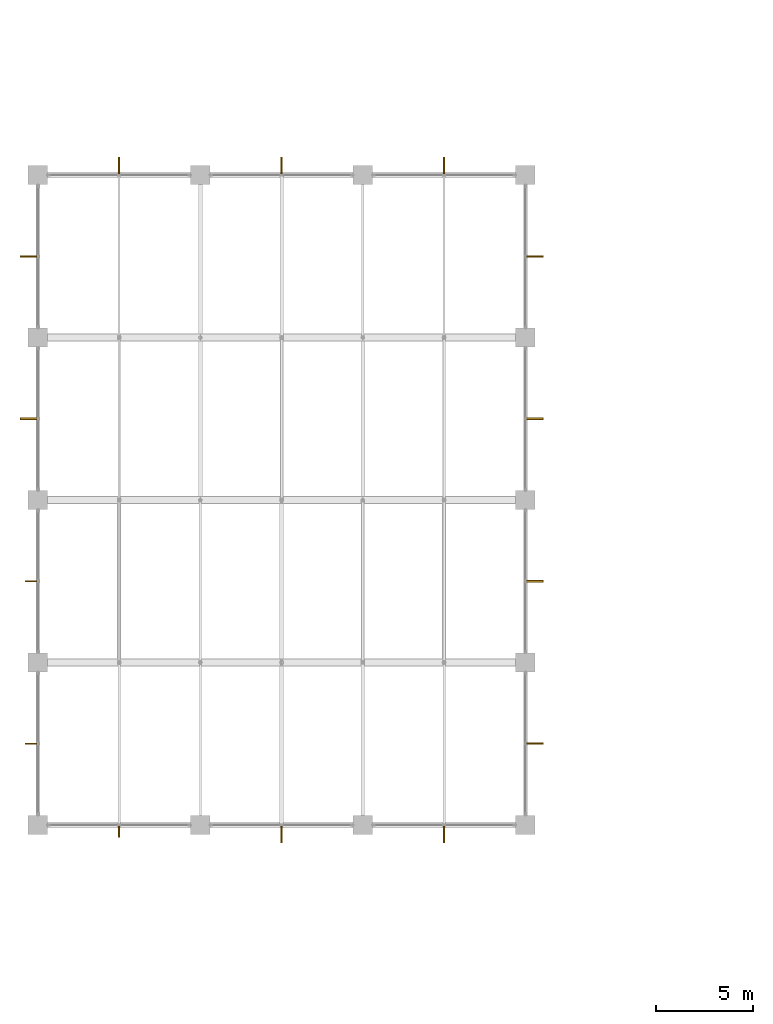
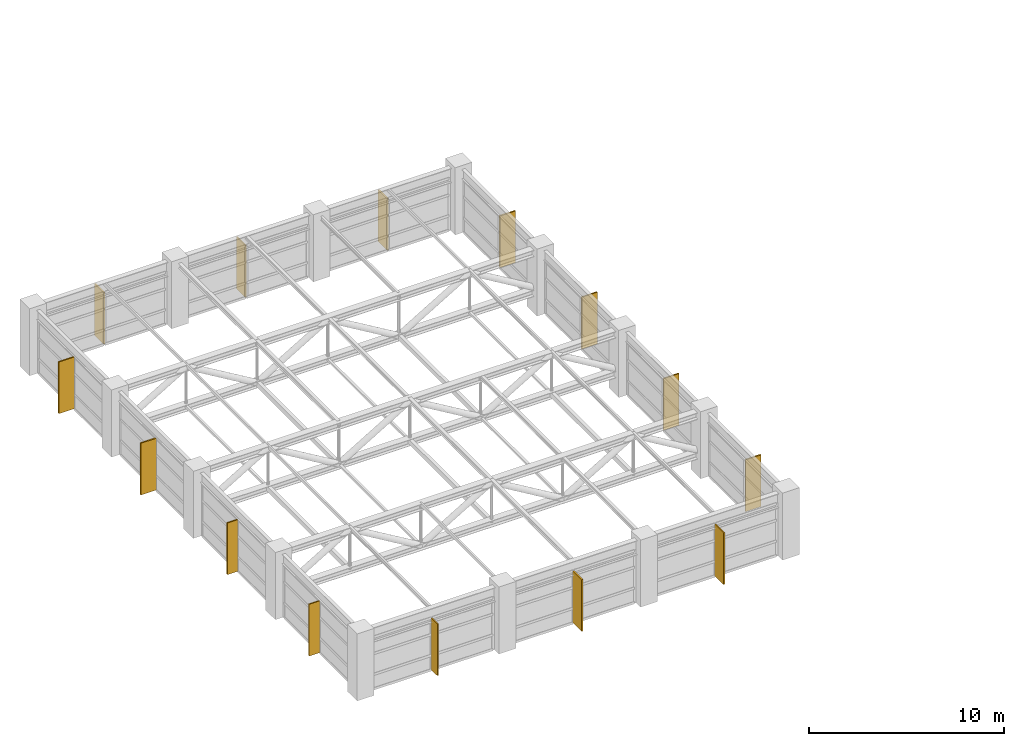
# One storey, part 31 of 32: 14 shading devices.
"""IFC4 building model written with IfcOpenShell, lengths in metres."""

import ifcopenshell
import ifcopenshell.guid

model = None  # the IFC model being written
_history = None  # IfcOwnerHistory: only IFC2X3 demands one
_inside = {}  # id of a spatial element -> (the spatial element, [elements in it])
_under = {}  # id of a project, library or spatial element -> (it, [spatial elements below it])
_declared = {}  # id of a project -> (the project, [libraries it declares])
_typed = {}  # id of a type object -> (the type object, [elements of that type])
_made_of = {}  # id of a material, layer set ... -> (it, [elements and type objects made of it])


def new_model(schema):
    """Start an empty IFC model of exactly this schema.

    Asked for "IFC4X3", IfcOpenShell would pick the latest addendum, in which some entities
    have other attributes; the version numbers below select the first issue.
    IFC2X3 requires an IfcOwnerHistory on every rooted entity: one is made here for all.
    """
    global model, _history
    if schema == "IFC4X3":
        model = ifcopenshell.file(schema_version=(4, 3, 0, 0))
    else:
        model = ifcopenshell.file(schema=schema)
    _inside.clear()
    _under.clear()
    _declared.clear()
    _typed.clear()
    _made_of.clear()
    _history = None
    if model.schema == "IFC2X3":
        org = make("IfcOrganization", Name="unknown")
        user = make(
            "IfcPersonAndOrganization",
            ThePerson=make("IfcPerson", FamilyName="unknown"),
            TheOrganization=org,
        )
        app = make(
            "IfcApplication",
            ApplicationDeveloper=org,
            Version="unknown",
            ApplicationFullName="unknown",
            ApplicationIdentifier="unknown",
        )
        _history = make(
            "IfcOwnerHistory",
            OwningUser=user,
            OwningApplication=app,
            ChangeAction="ADDED",
            CreationDate=0,
        )
    return model


def make(cls, **values):
    """One entity of the class cls with the attributes given. An attribute that is None is left unset."""
    return model.create_entity(
        cls, **{name: value for name, value in values.items() if value is not None}
    )


def rooted(cls, **values):
    """An entity with a GlobalId (a new one), such as an element, a storey or a relation."""
    return make(cls, GlobalId=ifcopenshell.guid.new(), OwnerHistory=_history, **values)


def si_unit(unit_type, name, prefix=None):
    """IfcSIUnit, for example si_unit("LENGTHUNIT", "METRE", prefix="MILLI")."""
    return make("IfcSIUnit", UnitType=unit_type, Prefix=prefix, Name=name)


def assignment(units):
    """IfcUnitAssignment: the units of a project."""
    return None if units is None else make("IfcUnitAssignment", Units=units)


def point(xyz):
    """IfcCartesianPoint."""
    return None if xyz is None else make("IfcCartesianPoint", Coordinates=xyz)


def direction(xyz):
    """IfcDirection."""
    return None if xyz is None else make("IfcDirection", DirectionRatios=xyz)


def frame(location, z_axis=None, x_axis=None):
    """IfcAxis2Placement3D, a coordinate frame: its origin and axes. An axis left out is left unset."""
    return make(
        "IfcAxis2Placement3D",
        Location=point(location),
        Axis=direction(z_axis),
        RefDirection=direction(x_axis),
    )


def frame_2d(location, x_axis=None):
    """IfcAxis2Placement2D, a coordinate frame in the plane: its origin and x axis."""
    return make(
        "IfcAxis2Placement2D", Location=point(location), RefDirection=direction(x_axis)
    )


def origin():
    """The frame at (0, 0, 0) with its axes left unset."""
    return frame((0.0, 0.0, 0.0))


def origin_2d():
    """The frame at (0, 0) in the plane with its x axis left unset."""
    return frame_2d((0.0, 0.0))


def place(relative_to, where):
    """IfcLocalPlacement: puts the frame where relative to a parent placement (None: the world)."""
    return make(
        "IfcLocalPlacement", PlacementRelTo=relative_to, RelativePlacement=where
    )


def context(
    kind, dimensions, precision=None, world=None, true_north=None, identifier=None
):
    """IfcGeometricRepresentationContext, for example the 3D "Model" context."""
    return make(
        "IfcGeometricRepresentationContext",
        ContextIdentifier=identifier,
        ContextType=kind,
        CoordinateSpaceDimension=dimensions,
        Precision=precision,
        WorldCoordinateSystem=world,
        TrueNorth=true_north,
    )


def subcontext(parent, identifier, kind, view, scale=None):
    """IfcGeometricRepresentationSubContext, for example "Body" below "Model"."""
    return make(
        "IfcGeometricRepresentationSubContext",
        ContextIdentifier=identifier,
        ContextType=kind,
        ParentContext=parent,
        TargetScale=scale,
        TargetView=view,
    )


def project(units=None, contexts=None):
    """IfcProject with its units and contexts."""
    return rooted(
        "IfcProject",
        Name="project",
        RepresentationContexts=contexts,
        UnitsInContext=assignment(units),
    )


def spatial(cls, under=None, at=None, **own):
    """A site, building, storey or space (cls), placed at a placement, below another one or the project."""
    s = rooted(cls, ObjectPlacement=at, **own)
    if under is not None:
        _under.setdefault(under.id(), (under, []))[1].append(s)
    return s


def profile(cls, at=None, kind="AREA", **sizes):
    """A parametric profile (cls). Its sizes go by their IFC names, for example OverallWidth=200.0."""
    return make(cls, ProfileType=kind, Position=at, **sizes)


def rectangle(**sizes):
    """IfcRectangleProfileDef."""
    return profile("IfcRectangleProfileDef", **sizes)


def extrude(swept, where, along, depth):
    """IfcExtrudedAreaSolid: the profile swept, set in the frame where, extruded along a direction by depth."""
    return make(
        "IfcExtrudedAreaSolid",
        SweptArea=swept,
        Position=where,
        ExtrudedDirection=direction(along),
        Depth=depth,
    )


def shape(context_of_items, identifier, shape_type, items):
    """IfcShapeRepresentation: the items that make up one representation, for example the "Body"."""
    return make(
        "IfcShapeRepresentation",
        ContextOfItems=context_of_items,
        RepresentationIdentifier=identifier,
        RepresentationType=shape_type,
        Items=items,
    )


def material(Name=None, Category=None):
    """IfcMaterial."""
    return make("IfcMaterial", Name=Name, Category=Category)


def made_of(thing, what):
    """Note that an element or type object is made of a material, layer set ...; save() writes the relation."""
    if what is not None:
        _made_of.setdefault(what.id(), (what, []))[1].append(thing)
    return thing


def type_object(cls, material=None, **own):
    """A type object (cls), such as IfcWallType, which elements share."""
    return made_of(rooted(cls, **own), material)


def element(
    cls,
    number,
    at=None,
    inside=None,
    cuts=None,
    type_object=None,
    material=None,
    context=None,
    identifier="Body",
    shape_type=None,
    held_by="IfcProductDefinitionShape",
    body=None,
    shapes=None,
    **own,
):
    """One element of the class cls, such as IfcWall. Its Tag is "e" and its number.

    at: its placement. inside: the storey or other place that contains it. cuts: it is an
    opening in that element (IfcRelVoidsElement). A single representation is given by context,
    identifier, shape_type and body (its items); several are given by shapes. held_by: the class
    of the entity that holds the representations. save() writes the other relations.
    """
    e = rooted(cls, Tag="e%d" % number, ObjectPlacement=at, **own)
    if body is not None:
        shapes = [shape(context, identifier, shape_type, body)]
    if shapes is not None:
        e.Representation = make(held_by, Representations=shapes)
    if inside is not None:
        _inside.setdefault(inside.id(), (inside, []))[1].append(e)
    if cuts is not None:
        rooted(
            "IfcRelVoidsElement", RelatingBuildingElement=cuts, RelatedOpeningElement=e
        )
    if type_object is not None:
        _typed.setdefault(type_object.id(), (type_object, []))[1].append(e)
    return made_of(e, material)


def aggregate(whole, parts):
    """IfcRelAggregates: a whole, such as a stair, and the parts it consists of."""
    return rooted("IfcRelAggregates", RelatingObject=whole, RelatedObjects=parts)


def save(model, path):
    """Write the relations noted so far, then the file.

    IfcRelAggregates (storeys below a building ...), IfcRelContainedInSpatialStructure (elements
    in a storey), IfcRelDefinesByType, IfcRelAssociatesMaterial and IfcRelDeclares: one each for
    every whole, place, type object, material and project.
    """
    for whole, parts in _under.values():
        aggregate(whole, parts)
    for where, things in _inside.values():
        rooted(
            "IfcRelContainedInSpatialStructure",
            RelatedElements=things,
            RelatingStructure=where,
        )
    for kind, things in _typed.values():
        rooted("IfcRelDefinesByType", RelatedObjects=things, RelatingType=kind)
    for what, things in _made_of.values():
        rooted("IfcRelAssociatesMaterial", RelatedObjects=things, RelatingMaterial=what)
    for by, libraries in _declared.values():
        rooted("IfcRelDeclares", RelatingContext=by, RelatedDefinitions=libraries)
    model.write(path)


model = new_model("IFC4")

# Units and contexts
model_context = context("Model", 3, precision=1e-05, world=origin(), true_north=direction((0.0, 1.0)))
body_context = subcontext(model_context, "Body", "Model", "MODEL_VIEW")
ifc_project = project(units=[si_unit("LENGTHUNIT", "METRE"), si_unit("AREAUNIT", "SQUARE_METRE"), si_unit("VOLUMEUNIT", "CUBIC_METRE"), si_unit("PLANEANGLEUNIT", "RADIAN"), si_unit("MASSUNIT", "GRAM", prefix="KILO")], contexts=[model_context])

# Site, building, storey
site_placement = place(None, origin())
site = spatial("IfcSite", under=ifc_project, at=site_placement, CompositionType="ELEMENT")
building_placement = place(site_placement, origin())
building = spatial("IfcBuilding", under=site, at=building_placement, Name="Xuanlan Plaza Opera House", CompositionType="ELEMENT")
storey_placement = place(building_placement, frame((0.0, 0.0, 40.5)))
storey = spatial("IfcBuildingStorey", under=building, at=storey_placement, Name="L09", CompositionType="ELEMENT", Elevation=40.5)

# Shading devices
ifc_material = material(Name="Anodised Aluminium 6063-T6", Category="aluminium")
shading_device_type_1 = type_object("IfcShadingDeviceType", Name="ENV-SHD-BRS01", PredefinedType="JALOUSIE", material=ifc_material)
for number, where, z_axis, x_axis, name in (
    (1, (46.199951171875, 41.675048828125, 0.0400390625), (0.0, 0.0, 1.0), (0.0, -1.0, 0.0), "Parametric Sunshade Fin L09-0573"),
    (2, (41.675048828125, 54.60009765625, 0.0400390625), (0.0, 0.0, 1.0), (-1.0, 0.0, 0.0), "Parametric Sunshade Fin L09-0585"),
    (3, (41.675048828125, 46.199951171875, 0.0400390625), (0.0, 0.0, 1.0), (-1.0, 0.0, 0.0), "Parametric Sunshade Fin L09-0586"),
):
    element("IfcShadingDevice", number, at=place(storey_placement, frame(where, z_axis=z_axis, x_axis=x_axis)), inside=storey, type_object=shading_device_type_1, Name=name, PredefinedType="JALOUSIE", context=body_context, shape_type="SweptSolid", body=[
        extrude(rectangle(XDim=0.639892578125, YDim=0.070068359375, at=origin_2d()), origin(), (0.0, 0.0, 1.0), 3.239990234375),
    ])
shading_device_type_2 = type_object("IfcShadingDeviceType", Name="ENV-SHD-BRS02", PredefinedType="JALOUSIE", material=ifc_material)
for number, where, z_axis, x_axis, name in (
    (4, (54.60009765625, 41.534912109375, 0.0400390625), (0.0, 0.0, 1.0), (0.0, -1.0, 0.0), "Parametric Sunshade Fin L09-0574"),
    (5, (63.0, 41.534912109375, 0.0400390625), (0.0, 0.0, 1.0), (0.0, -1.0, 0.0), "Parametric Sunshade Fin L09-0575"),
    (6, (67.6650390625, 46.199951171875, 0.0400390625), (0.0, 0.0, 1.0), (1.0, 0.0, 0.0), "Parametric Sunshade Fin L09-0576"),
    (7, (67.6650390625, 54.60009765625, 0.0400390625), (0.0, 0.0, 1.0), (1.0, 0.0, 0.0), "Parametric Sunshade Fin L09-0577"),
    (8, (67.6650390625, 63.0, 0.0400390625), (0.0, 0.0, 1.0), (1.0, 0.0, 0.0), "Parametric Sunshade Fin L09-0578"),
    (9, (67.6650390625, 71.39990234375, 0.0400390625), (0.0, 0.0, 1.0), (1.0, 0.0, 0.0), "Parametric Sunshade Fin L09-0579"),
    (10, (63.0, 76.06494140625, 0.0400390625), (0.0, 0.0, 1.0), (0.0, 1.0, 0.0), "Parametric Sunshade Fin L09-0580"),
    (11, (54.60009765625, 76.06494140625, 0.0400390625), (0.0, 0.0, 1.0), (0.0, 1.0, 0.0), "Parametric Sunshade Fin L09-0581"),
    (12, (46.199951171875, 76.06494140625, 0.0400390625), (0.0, 0.0, 1.0), (0.0, 1.0, 0.0), "Parametric Sunshade Fin L09-0582"),
    (13, (41.534912109375, 71.39990234375, 0.0400390625), (0.0, 0.0, 1.0), (-1.0, 0.0, 0.0), "Parametric Sunshade Fin L09-0583"),
    (14, (41.534912109375, 63.0, 0.0400390625), (0.0, 0.0, 1.0), (-1.0, 0.0, 0.0), "Parametric Sunshade Fin L09-0584"),
):
    element("IfcShadingDevice", number, at=place(storey_placement, frame(where, z_axis=z_axis, x_axis=x_axis)), inside=storey, type_object=shading_device_type_2, Name=name, PredefinedType="JALOUSIE", context=body_context, shape_type="SweptSolid", body=[
        extrude(rectangle(XDim=0.919921875, YDim=0.080078125, at=origin_2d()), origin(), (0.0, 0.0, 1.0), 3.239990234375),
    ])

save(model, "model.ifc")
